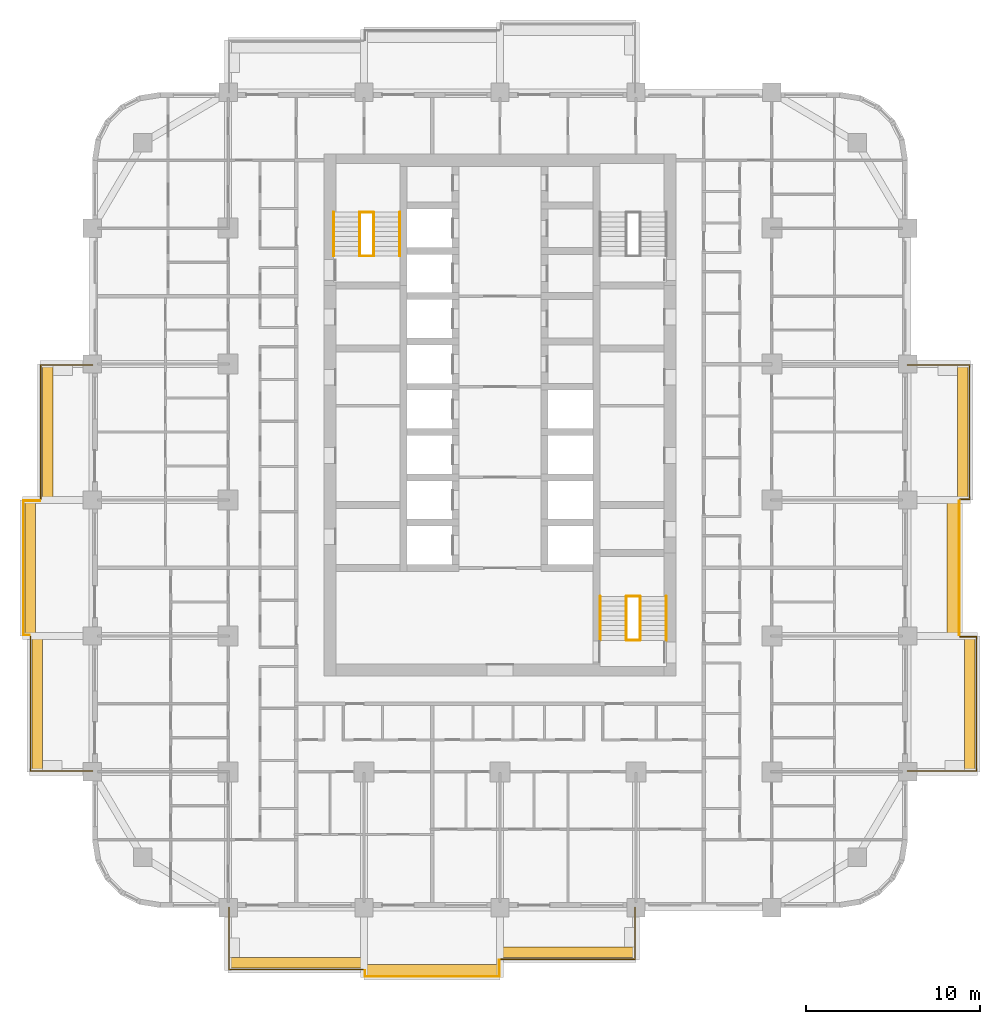
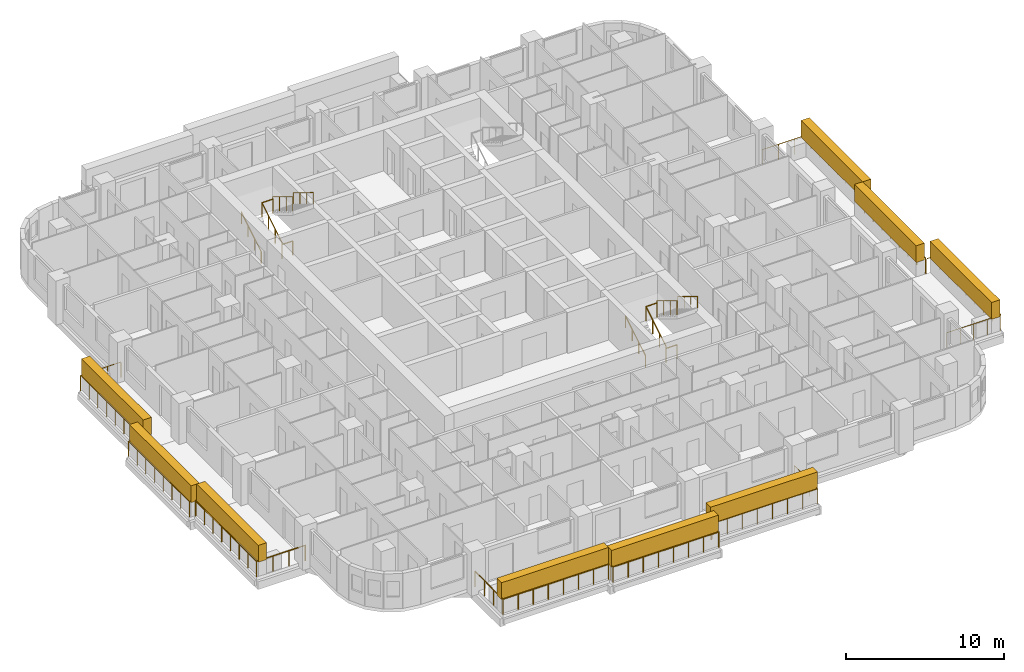
# One storey, part 16 of 17: 21 railings, 9 coverings, 2 elements without a shape of their own.
"""IFC4 building model written with IfcOpenShell, lengths in metres."""

from ifc_helpers import new_model, si_unit, direction, frame, origin, origin_2d, place, context, subcontext, project, spatial, rectangle, circle, extrude, material, layer, layer_set, type_object, element, aggregate, save


model = new_model("IFC4")

# Units and contexts
model_context = context("Model", 3, precision=1e-05, world=origin(), true_north=direction((0.0, 1.0)))
body_context = subcontext(model_context, "Body", "Model", "MODEL_VIEW")
ifc_project = project(units=[si_unit("LENGTHUNIT", "METRE"), si_unit("AREAUNIT", "SQUARE_METRE"), si_unit("VOLUMEUNIT", "CUBIC_METRE"), si_unit("PLANEANGLEUNIT", "RADIAN"), si_unit("MASSUNIT", "GRAM", prefix="KILO")], contexts=[model_context])

# Site, building, storey
site_placement = place(None, origin())
site = spatial("IfcSite", under=ifc_project, at=site_placement, CompositionType="ELEMENT")
building_placement = place(site_placement, origin())
building = spatial("IfcBuilding", under=site, at=building_placement, Name="Ludao Terraces", CompositionType="ELEMENT")
storey_placement = place(building_placement, frame((0.0, 0.0, 54.60009765625)))
storey = spatial("IfcBuildingStorey", under=building, at=storey_placement, Name="L14", CompositionType="ELEMENT", Elevation=54.60009765625)

# Railings
ifc_material_1 = material(Name="Stainless steel 304", Category="steel")
railing_type_1 = type_object("IfcRailingType", Name="ENV Balcony glass guard 1200", PredefinedType="GUARDRAIL", material=ifc_material_1)
railing_1_placement = place(storey_placement, frame((69.449951171875, 41.60009765625, 0.0)))
element("IfcRailing", 1, at=railing_1_placement, inside=storey, type_object=railing_type_1, Name="Balcony guard L14 S1", PredefinedType="GUARDRAIL", context=body_context, shape_type="SweptSolid", body=[
    extrude(circle(Radius=0.02392578125, at=origin_2d()), frame((0.0, 0.0, 1.17578125), z_axis=(0.0, -1.0, 0.0), x_axis=(1.0, 0.0, 0.0)), (0.0, 0.0, 1.0), 3.550048828125),
    extrude(circle(Radius=0.02392578125, at=origin_2d()), frame((0.0, -3.550048828125, 1.17578125), z_axis=(1.0, 0.0, 0.0), x_axis=(0.0, 1.0, 0.0)), (0.0, 0.0, 1.0), 7.699951171875),
    extrude(circle(Radius=0.02099609375, at=origin_2d()), origin(), (0.0, 0.0, 1.0), 1.15185546875),
    extrude(circle(Radius=0.02099609375, at=origin_2d()), frame((0.0, -1.183349609375, 0.0)), (0.0, 0.0, 1.0), 1.15185546875),
    extrude(circle(Radius=0.02099609375, at=origin_2d()), frame((0.0, -2.36669921875, 0.0)), (0.0, 0.0, 1.0), 1.15185546875),
    extrude(circle(Radius=0.02099609375, at=origin_2d()), frame((0.0, -3.550048828125, 0.0)), (0.0, 0.0, 1.0), 1.15185546875),
    extrude(circle(Radius=0.02099609375, at=origin_2d()), frame((1.10009765625, -3.550048828125, 0.0)), (0.0, 0.0, 1.0), 1.15185546875),
    extrude(circle(Radius=0.02099609375, at=origin_2d()), frame((2.199951171875, -3.550048828125, 0.0)), (0.0, 0.0, 1.0), 1.15185546875),
    extrude(circle(Radius=0.02099609375, at=origin_2d()), frame((3.300048828125, -3.550048828125, 0.0)), (0.0, 0.0, 1.0), 1.15185546875),
    extrude(circle(Radius=0.02099609375, at=origin_2d()), frame((4.39990234375, -3.550048828125, 0.0)), (0.0, 0.0, 1.0), 1.15185546875),
    extrude(circle(Radius=0.02099609375, at=origin_2d()), frame((5.5, -3.550048828125, 0.0)), (0.0, 0.0, 1.0), 1.15185546875),
    extrude(circle(Radius=0.02099609375, at=origin_2d()), frame((6.599853515625, -3.550048828125, 0.0)), (0.0, 0.0, 1.0), 1.15185546875),
    extrude(circle(Radius=0.02099609375, at=origin_2d()), frame((7.699951171875, -3.550048828125, 0.0)), (0.0, 0.0, 1.0), 1.15185546875),
])
railing_2_placement = place(storey_placement, frame((77.25, 38.0, 0.0)))
element("IfcRailing", 2, at=railing_2_placement, inside=storey, type_object=railing_type_1, Name="Balcony guard L14 S2", PredefinedType="GUARDRAIL", context=body_context, shape_type="SweptSolid", body=[
    extrude(circle(Radius=0.02392578125, at=origin_2d()), frame((0.0, 0.0, 1.17578125), z_axis=(0.0, -1.0, 0.0), x_axis=(1.0, 0.0, 0.0)), (0.0, 0.0, 1.0), 0.35009765625),
    extrude(circle(Radius=0.02392578125, at=origin_2d()), frame((0.0, -0.35009765625, 1.17578125), z_axis=(1.0, 0.0, 0.0), x_axis=(0.0, 1.0, 0.0)), (0.0, 0.0, 1.0), 7.699951171875),
    extrude(circle(Radius=0.02392578125, at=origin_2d()), frame((7.699951171875, -0.35009765625, 1.17578125), z_axis=(0.0, 1.0, 0.0), x_axis=(-1.0, 0.0, 0.0)), (0.0, 0.0, 1.0), 0.9501953125),
    extrude(circle(Radius=0.02099609375, at=origin_2d()), origin(), (0.0, 0.0, 1.0), 1.15185546875),
    extrude(circle(Radius=0.02099609375, at=origin_2d()), frame((0.0, -0.35009765625, 0.0)), (0.0, 0.0, 1.0), 1.15185546875),
    extrude(circle(Radius=0.02099609375, at=origin_2d()), frame((1.10009765625, -0.35009765625, 0.0)), (0.0, 0.0, 1.0), 1.15185546875),
    extrude(circle(Radius=0.02099609375, at=origin_2d()), frame((2.199951171875, -0.35009765625, 0.0)), (0.0, 0.0, 1.0), 1.15185546875),
    extrude(circle(Radius=0.02099609375, at=origin_2d()), frame((3.300048828125, -0.35009765625, 0.0)), (0.0, 0.0, 1.0), 1.15185546875),
    extrude(circle(Radius=0.02099609375, at=origin_2d()), frame((4.39990234375, -0.35009765625, 0.0)), (0.0, 0.0, 1.0), 1.15185546875),
    extrude(circle(Radius=0.02099609375, at=origin_2d()), frame((5.5, -0.35009765625, 0.0)), (0.0, 0.0, 1.0), 1.15185546875),
    extrude(circle(Radius=0.02099609375, at=origin_2d()), frame((6.599853515625, -0.35009765625, 0.0)), (0.0, 0.0, 1.0), 1.15185546875),
    extrude(circle(Radius=0.02099609375, at=origin_2d()), frame((7.699951171875, -0.35009765625, 0.0)), (0.0, 0.0, 1.0), 1.15185546875),
    extrude(circle(Radius=0.02099609375, at=origin_2d()), frame((7.699951171875, 0.60009765625, 0.0)), (0.0, 0.0, 1.0), 1.15185546875),
])
railing_3_placement = place(storey_placement, frame((85.050048828125, 38.64990234375, 0.0)))
element("IfcRailing", 3, at=railing_3_placement, inside=storey, type_object=railing_type_1, Name="Balcony guard L14 S3", PredefinedType="GUARDRAIL", context=body_context, shape_type="SweptSolid", body=[
    extrude(circle(Radius=0.02392578125, at=origin_2d()), frame((0.0, 0.0, 1.17578125), z_axis=(1.0, 0.0, 0.0), x_axis=(0.0, 1.0, 0.0)), (0.0, 0.0, 1.0), 7.699951171875),
    extrude(circle(Radius=0.02392578125, at=origin_2d()), frame((7.699951171875, 0.0, 1.17578125), z_axis=(0.0, 1.0, 0.0), x_axis=(-1.0, 0.0, 0.0)), (0.0, 0.0, 1.0), 2.9501953125),
    extrude(circle(Radius=0.02099609375, at=origin_2d()), origin(), (0.0, 0.0, 1.0), 1.15185546875),
    extrude(circle(Radius=0.02099609375, at=origin_2d()), frame((1.10009765625, 0.0, 0.0)), (0.0, 0.0, 1.0), 1.15185546875),
    extrude(circle(Radius=0.02099609375, at=origin_2d()), frame((2.199951171875, 0.0, 0.0)), (0.0, 0.0, 1.0), 1.15185546875),
    extrude(circle(Radius=0.02099609375, at=origin_2d()), frame((3.300048828125, 0.0, 0.0)), (0.0, 0.0, 1.0), 1.15185546875),
    extrude(circle(Radius=0.02099609375, at=origin_2d()), frame((4.39990234375, 0.0, 0.0)), (0.0, 0.0, 1.0), 1.15185546875),
    extrude(circle(Radius=0.02099609375, at=origin_2d()), frame((5.5, 0.0, 0.0)), (0.0, 0.0, 1.0), 1.15185546875),
    extrude(circle(Radius=0.02099609375, at=origin_2d()), frame((6.599853515625, 0.0, 0.0)), (0.0, 0.0, 1.0), 1.15185546875),
    extrude(circle(Radius=0.02099609375, at=origin_2d()), frame((7.699951171875, 0.0, 0.0)), (0.0, 0.0, 1.0), 1.15185546875),
    extrude(circle(Radius=0.02099609375, at=origin_2d()), frame((7.699951171875, 0.9833984375, 0.0)), (0.0, 0.0, 1.0), 1.15185546875),
    extrude(circle(Radius=0.02099609375, at=origin_2d()), frame((7.699951171875, 1.966796875, 0.0)), (0.0, 0.0, 1.0), 1.15185546875),
    extrude(circle(Radius=0.02099609375, at=origin_2d()), frame((7.699951171875, 2.9501953125, 0.0)), (0.0, 0.0, 1.0), 1.15185546875),
])
railing_4_placement = place(storey_placement, frame((108.39990234375, 49.449951171875, 0.0)))
element("IfcRailing", 4, at=railing_4_placement, inside=storey, type_object=railing_type_1, Name="Balcony guard L14 E1", PredefinedType="GUARDRAIL", context=body_context, shape_type="SweptSolid", body=[
    extrude(circle(Radius=0.02392578125, at=origin_2d()), frame((0.0, 0.0, 1.17578125), z_axis=(1.0, 0.0, 0.0), x_axis=(0.0, 1.0, 0.0)), (0.0, 0.0, 1.0), 3.9501953125),
    extrude(circle(Radius=0.02392578125, at=origin_2d()), frame((3.9501953125, 0.0, 1.17578125), z_axis=(0.0, 1.0, 0.0), x_axis=(-1.0, 0.0, 0.0)), (0.0, 0.0, 1.0), 7.699951171875),
    extrude(circle(Radius=0.02392578125, at=origin_2d()), frame((3.9501953125, 7.699951171875, 1.17578125), z_axis=(-1.0, 0.0, 0.0), x_axis=(0.0, -1.0, 0.0)), (0.0, 0.0, 1.0), 0.9501953125),
    extrude(circle(Radius=0.02099609375, at=origin_2d()), origin(), (0.0, 0.0, 1.0), 1.15185546875),
    extrude(circle(Radius=0.02099609375, at=origin_2d()), frame((0.987548828125, 0.0, 0.0)), (0.0, 0.0, 1.0), 1.15185546875),
    extrude(circle(Radius=0.02099609375, at=origin_2d()), frame((1.97509765625, 0.0, 0.0)), (0.0, 0.0, 1.0), 1.15185546875),
    extrude(circle(Radius=0.02099609375, at=origin_2d()), frame((2.962646484375, 0.0, 0.0)), (0.0, 0.0, 1.0), 1.15185546875),
    extrude(circle(Radius=0.02099609375, at=origin_2d()), frame((3.9501953125, 0.0, 0.0)), (0.0, 0.0, 1.0), 1.15185546875),
    extrude(circle(Radius=0.02099609375, at=origin_2d()), frame((3.9501953125, 1.10009765625, 0.0)), (0.0, 0.0, 1.0), 1.15185546875),
    extrude(circle(Radius=0.02099609375, at=origin_2d()), frame((3.9501953125, 2.199951171875, 0.0)), (0.0, 0.0, 1.0), 1.15185546875),
    extrude(circle(Radius=0.02099609375, at=origin_2d()), frame((3.9501953125, 3.300048828125, 0.0)), (0.0, 0.0, 1.0), 1.15185546875),
    extrude(circle(Radius=0.02099609375, at=origin_2d()), frame((3.9501953125, 4.39990234375, 0.0)), (0.0, 0.0, 1.0), 1.15185546875),
    extrude(circle(Radius=0.02099609375, at=origin_2d()), frame((3.9501953125, 5.5, 0.0)), (0.0, 0.0, 1.0), 1.15185546875),
    extrude(circle(Radius=0.02099609375, at=origin_2d()), frame((3.9501953125, 6.599853515625, 0.0)), (0.0, 0.0, 1.0), 1.15185546875),
    extrude(circle(Radius=0.02099609375, at=origin_2d()), frame((3.9501953125, 7.699951171875, 0.0)), (0.0, 0.0, 1.0), 1.15185546875),
    extrude(circle(Radius=0.02099609375, at=origin_2d()), frame((3.0, 7.699951171875, 0.0)), (0.0, 0.0, 1.0), 1.15185546875),
])
railing_5_placement = place(storey_placement, frame((111.35009765625, 57.25, 0.0)))
element("IfcRailing", 5, at=railing_5_placement, inside=storey, type_object=railing_type_1, Name="Balcony guard L14 E2", PredefinedType="GUARDRAIL", context=body_context, shape_type="SweptSolid", body=[
    extrude(circle(Radius=0.02392578125, at=origin_2d()), frame((0.0, 0.0, 1.17578125), z_axis=(0.0, 1.0, 0.0), x_axis=(-1.0, 0.0, 0.0)), (0.0, 0.0, 1.0), 7.699951171875),
    extrude(circle(Radius=0.02099609375, at=origin_2d()), origin(), (0.0, 0.0, 1.0), 1.15185546875),
    extrude(circle(Radius=0.02099609375, at=origin_2d()), frame((0.0, 1.10009765625, 0.0)), (0.0, 0.0, 1.0), 1.15185546875),
    extrude(circle(Radius=0.02099609375, at=origin_2d()), frame((0.0, 2.199951171875, 0.0)), (0.0, 0.0, 1.0), 1.15185546875),
    extrude(circle(Radius=0.02099609375, at=origin_2d()), frame((0.0, 3.300048828125, 0.0)), (0.0, 0.0, 1.0), 1.15185546875),
    extrude(circle(Radius=0.02099609375, at=origin_2d()), frame((0.0, 4.39990234375, 0.0)), (0.0, 0.0, 1.0), 1.15185546875),
    extrude(circle(Radius=0.02099609375, at=origin_2d()), frame((0.0, 5.5, 0.0)), (0.0, 0.0, 1.0), 1.15185546875),
    extrude(circle(Radius=0.02099609375, at=origin_2d()), frame((0.0, 6.599853515625, 0.0)), (0.0, 0.0, 1.0), 1.15185546875),
    extrude(circle(Radius=0.02099609375, at=origin_2d()), frame((0.0, 7.699951171875, 0.0)), (0.0, 0.0, 1.0), 1.15185546875),
])
railing_6_placement = place(storey_placement, frame((111.39990234375, 65.050048828125, 0.0)))
element("IfcRailing", 6, at=railing_6_placement, inside=storey, type_object=railing_type_1, Name="Balcony guard L14 E3", PredefinedType="GUARDRAIL", context=body_context, shape_type="SweptSolid", body=[
    extrude(circle(Radius=0.02392578125, at=origin_2d()), frame((0.0, 0.0, 1.17578125), z_axis=(1.0, 0.0, 0.0), x_axis=(0.0, 1.0, 0.0)), (0.0, 0.0, 1.0), 0.550048828125),
    extrude(circle(Radius=0.02392578125, at=origin_2d()), frame((0.550048828125, 0.0, 1.17578125), z_axis=(0.0, 1.0, 0.0), x_axis=(-1.0, 0.0, 0.0)), (0.0, 0.0, 1.0), 7.699951171875),
    extrude(circle(Radius=0.02392578125, at=origin_2d()), frame((0.550048828125, 7.699951171875, 1.17578125), z_axis=(-1.0, 0.0, 0.0), x_axis=(0.0, -1.0, 0.0)), (0.0, 0.0, 1.0), 3.550048828125),
    extrude(circle(Radius=0.02099609375, at=origin_2d()), origin(), (0.0, 0.0, 1.0), 1.15185546875),
    extrude(circle(Radius=0.02099609375, at=origin_2d()), frame((0.550048828125, 0.0, 0.0)), (0.0, 0.0, 1.0), 1.15185546875),
    extrude(circle(Radius=0.02099609375, at=origin_2d()), frame((0.550048828125, 1.10009765625, 0.0)), (0.0, 0.0, 1.0), 1.15185546875),
    extrude(circle(Radius=0.02099609375, at=origin_2d()), frame((0.550048828125, 2.199951171875, 0.0)), (0.0, 0.0, 1.0), 1.15185546875),
    extrude(circle(Radius=0.02099609375, at=origin_2d()), frame((0.550048828125, 3.300048828125, 0.0)), (0.0, 0.0, 1.0), 1.15185546875),
    extrude(circle(Radius=0.02099609375, at=origin_2d()), frame((0.550048828125, 4.39990234375, 0.0)), (0.0, 0.0, 1.0), 1.15185546875),
    extrude(circle(Radius=0.02099609375, at=origin_2d()), frame((0.550048828125, 5.5, 0.0)), (0.0, 0.0, 1.0), 1.15185546875),
    extrude(circle(Radius=0.02099609375, at=origin_2d()), frame((0.550048828125, 6.599853515625, 0.0)), (0.0, 0.0, 1.0), 1.15185546875),
    extrude(circle(Radius=0.02099609375, at=origin_2d()), frame((0.550048828125, 7.699951171875, 0.0)), (0.0, 0.0, 1.0), 1.15185546875),
    extrude(circle(Radius=0.02099609375, at=origin_2d()), frame((-0.63330078125, 7.699951171875, 0.0)), (0.0, 0.0, 1.0), 1.15185546875),
    extrude(circle(Radius=0.02099609375, at=origin_2d()), frame((-1.816650390625, 7.699951171875, 0.0)), (0.0, 0.0, 1.0), 1.15185546875),
    extrude(circle(Radius=0.02099609375, at=origin_2d()), frame((-3.0, 7.699951171875, 0.0)), (0.0, 0.0, 1.0), 1.15185546875),
])
railing_7_placement = place(storey_placement, frame((61.60009765625, 49.449951171875, 0.0)))
element("IfcRailing", 7, at=railing_7_placement, inside=storey, type_object=railing_type_1, Name="Balcony guard L14 W1", PredefinedType="GUARDRAIL", context=body_context, shape_type="SweptSolid", body=[
    extrude(circle(Radius=0.02392578125, at=origin_2d()), frame((0.0, 0.0, 1.17578125), z_axis=(-1.0, 0.0, 0.0), x_axis=(0.0, -1.0, 0.0)), (0.0, 0.0, 1.0), 3.550048828125),
    extrude(circle(Radius=0.02392578125, at=origin_2d()), frame((-3.550048828125, 0.0, 1.17578125), z_axis=(0.0, 1.0, 0.0), x_axis=(-1.0, 0.0, 0.0)), (0.0, 0.0, 1.0), 7.699951171875),
    extrude(circle(Radius=0.02099609375, at=origin_2d()), origin(), (0.0, 0.0, 1.0), 1.15185546875),
    extrude(circle(Radius=0.02099609375, at=origin_2d()), frame((-1.183349609375, 0.0, 0.0)), (0.0, 0.0, 1.0), 1.15185546875),
    extrude(circle(Radius=0.02099609375, at=origin_2d()), frame((-2.36669921875, 0.0, 0.0)), (0.0, 0.0, 1.0), 1.15185546875),
    extrude(circle(Radius=0.02099609375, at=origin_2d()), frame((-3.550048828125, 0.0, 0.0)), (0.0, 0.0, 1.0), 1.15185546875),
    extrude(circle(Radius=0.02099609375, at=origin_2d()), frame((-3.550048828125, 1.10009765625, 0.0)), (0.0, 0.0, 1.0), 1.15185546875),
    extrude(circle(Radius=0.02099609375, at=origin_2d()), frame((-3.550048828125, 2.199951171875, 0.0)), (0.0, 0.0, 1.0), 1.15185546875),
    extrude(circle(Radius=0.02099609375, at=origin_2d()), frame((-3.550048828125, 3.300048828125, 0.0)), (0.0, 0.0, 1.0), 1.15185546875),
    extrude(circle(Radius=0.02099609375, at=origin_2d()), frame((-3.550048828125, 4.39990234375, 0.0)), (0.0, 0.0, 1.0), 1.15185546875),
    extrude(circle(Radius=0.02099609375, at=origin_2d()), frame((-3.550048828125, 5.5, 0.0)), (0.0, 0.0, 1.0), 1.15185546875),
    extrude(circle(Radius=0.02099609375, at=origin_2d()), frame((-3.550048828125, 6.599853515625, 0.0)), (0.0, 0.0, 1.0), 1.15185546875),
    extrude(circle(Radius=0.02099609375, at=origin_2d()), frame((-3.550048828125, 7.699951171875, 0.0)), (0.0, 0.0, 1.0), 1.15185546875),
])
railing_8_placement = place(storey_placement, frame((58.0, 57.25, 0.0)))
element("IfcRailing", 8, at=railing_8_placement, inside=storey, type_object=railing_type_1, Name="Balcony guard L14 W2", PredefinedType="GUARDRAIL", context=body_context, shape_type="SweptSolid", body=[
    extrude(circle(Radius=0.02392578125, at=origin_2d()), frame((0.0, 0.0, 1.17578125), z_axis=(-1.0, 0.0, 0.0), x_axis=(0.0, -1.0, 0.0)), (0.0, 0.0, 1.0), 0.35009765625),
    extrude(circle(Radius=0.02392578125, at=origin_2d()), frame((-0.35009765625, 0.0, 1.17578125), z_axis=(0.0, 1.0, 0.0), x_axis=(-1.0, 0.0, 0.0)), (0.0, 0.0, 1.0), 7.699951171875),
    extrude(circle(Radius=0.02392578125, at=origin_2d()), frame((-0.35009765625, 7.699951171875, 1.17578125), z_axis=(1.0, 0.0, 0.0), x_axis=(0.0, 1.0, 0.0)), (0.0, 0.0, 1.0), 0.9501953125),
    extrude(circle(Radius=0.02099609375, at=origin_2d()), origin(), (0.0, 0.0, 1.0), 1.15185546875),
    extrude(circle(Radius=0.02099609375, at=origin_2d()), frame((-0.35009765625, 0.0, 0.0)), (0.0, 0.0, 1.0), 1.15185546875),
    extrude(circle(Radius=0.02099609375, at=origin_2d()), frame((-0.35009765625, 1.10009765625, 0.0)), (0.0, 0.0, 1.0), 1.15185546875),
    extrude(circle(Radius=0.02099609375, at=origin_2d()), frame((-0.35009765625, 2.199951171875, 0.0)), (0.0, 0.0, 1.0), 1.15185546875),
    extrude(circle(Radius=0.02099609375, at=origin_2d()), frame((-0.35009765625, 3.300048828125, 0.0)), (0.0, 0.0, 1.0), 1.15185546875),
    extrude(circle(Radius=0.02099609375, at=origin_2d()), frame((-0.35009765625, 4.39990234375, 0.0)), (0.0, 0.0, 1.0), 1.15185546875),
    extrude(circle(Radius=0.02099609375, at=origin_2d()), frame((-0.35009765625, 5.5, 0.0)), (0.0, 0.0, 1.0), 1.15185546875),
    extrude(circle(Radius=0.02099609375, at=origin_2d()), frame((-0.35009765625, 6.599853515625, 0.0)), (0.0, 0.0, 1.0), 1.15185546875),
    extrude(circle(Radius=0.02099609375, at=origin_2d()), frame((-0.35009765625, 7.699951171875, 0.0)), (0.0, 0.0, 1.0), 1.15185546875),
    extrude(circle(Radius=0.02099609375, at=origin_2d()), frame((0.60009765625, 7.699951171875, 0.0)), (0.0, 0.0, 1.0), 1.15185546875),
])
railing_9_placement = place(storey_placement, frame((58.64990234375, 65.050048828125, 0.0)))
element("IfcRailing", 9, at=railing_9_placement, inside=storey, type_object=railing_type_1, Name="Balcony guard L14 W3", PredefinedType="GUARDRAIL", context=body_context, shape_type="SweptSolid", body=[
    extrude(circle(Radius=0.02392578125, at=origin_2d()), frame((0.0, 0.0, 1.17578125), z_axis=(0.0, 1.0, 0.0), x_axis=(-1.0, 0.0, 0.0)), (0.0, 0.0, 1.0), 7.699951171875),
    extrude(circle(Radius=0.02392578125, at=origin_2d()), frame((0.0, 7.699951171875, 1.17578125), z_axis=(1.0, 0.0, 0.0), x_axis=(0.0, 1.0, 0.0)), (0.0, 0.0, 1.0), 2.9501953125),
    extrude(circle(Radius=0.02099609375, at=origin_2d()), origin(), (0.0, 0.0, 1.0), 1.15185546875),
    extrude(circle(Radius=0.02099609375, at=origin_2d()), frame((0.0, 1.10009765625, 0.0)), (0.0, 0.0, 1.0), 1.15185546875),
    extrude(circle(Radius=0.02099609375, at=origin_2d()), frame((0.0, 2.199951171875, 0.0)), (0.0, 0.0, 1.0), 1.15185546875),
    extrude(circle(Radius=0.02099609375, at=origin_2d()), frame((0.0, 3.300048828125, 0.0)), (0.0, 0.0, 1.0), 1.15185546875),
    extrude(circle(Radius=0.02099609375, at=origin_2d()), frame((0.0, 4.39990234375, 0.0)), (0.0, 0.0, 1.0), 1.15185546875),
    extrude(circle(Radius=0.02099609375, at=origin_2d()), frame((0.0, 5.5, 0.0)), (0.0, 0.0, 1.0), 1.15185546875),
    extrude(circle(Radius=0.02099609375, at=origin_2d()), frame((0.0, 6.599853515625, 0.0)), (0.0, 0.0, 1.0), 1.15185546875),
    extrude(circle(Radius=0.02099609375, at=origin_2d()), frame((0.0, 7.699951171875, 0.0)), (0.0, 0.0, 1.0), 1.15185546875),
    extrude(circle(Radius=0.02099609375, at=origin_2d()), frame((0.9833984375, 7.699951171875, 0.0)), (0.0, 0.0, 1.0), 1.15185546875),
    extrude(circle(Radius=0.02099609375, at=origin_2d()), frame((1.966796875, 7.699951171875, 0.0)), (0.0, 0.0, 1.0), 1.15185546875),
    extrude(circle(Radius=0.02099609375, at=origin_2d()), frame((2.9501953125, 7.699951171875, 0.0)), (0.0, 0.0, 1.0), 1.15185546875),
])

# Coverings
ifc_material_2 = material(Name="Planting")
ifc_layer = layer(ifc_material_2, 0.60009765625)
ifc_layer_set = layer_set([ifc_layer], Name="ENV Planting hedge 600x1300")
covering_type = type_object("IfcCoveringType", Name="ENV Planting hedge 600x1300", PredefinedType="USERDEFINED", material=ifc_layer_set)
for number, where, z_axis, x_axis, name in (
    (10, (73.300048828125, 38.449951171875, 1.10009765625), (0.0, 0.0, 1.0), (1.0, 0.0, 0.0), "Planting hedge L14-S1"),
    (11, (81.10009765625, 38.050048828125, 1.10009765625), (0.0, 0.0, 1.0), (1.0, 0.0, 0.0), "Planting hedge L14-S2"),
    (12, (88.89990234375, 39.050048828125, 1.10009765625), (0.0, 0.0, 1.0), (1.0, 0.0, 0.0), "Planting hedge L14-S3"),
):
    element("IfcCovering", number, at=place(storey_placement, frame(where, z_axis=z_axis, x_axis=x_axis)), inside=storey, type_object=covering_type, Name=name, ObjectType="PLANTING", PredefinedType="USERDEFINED", context=body_context, shape_type="SweptSolid", body=[
        extrude(rectangle(XDim=7.800048828125, YDim=0.60009765625, at=origin_2d()), origin(), (0.0, 0.0, 1.0), 1.300048828125),
    ])
for number, where, z_axis, x_axis, name in (
    (13, (111.949951171875, 53.300048828125, 1.10009765625), (0.0, 0.0, 1.0), (1.0, 0.0, 0.0), "Planting hedge L14-E1"),
    (14, (110.949951171875, 61.10009765625, 1.10009765625), (0.0, 0.0, 1.0), (1.0, 0.0, 0.0), "Planting hedge L14-E2"),
    (15, (111.550048828125, 68.89990234375, 1.10009765625), (0.0, 0.0, 1.0), (1.0, 0.0, 0.0), "Planting hedge L14-E3"),
    (16, (58.449951171875, 53.300048828125, 1.10009765625), (0.0, 0.0, 1.0), (1.0, 0.0, 0.0), "Planting hedge L14-W1"),
    (17, (58.050048828125, 61.10009765625, 1.10009765625), (0.0, 0.0, 1.0), (1.0, 0.0, 0.0), "Planting hedge L14-W2"),
    (18, (59.050048828125, 68.89990234375, 1.10009765625), (0.0, 0.0, 1.0), (1.0, 0.0, 0.0), "Planting hedge L14-W3"),
):
    element("IfcCovering", number, at=place(storey_placement, frame(where, z_axis=z_axis, x_axis=x_axis)), inside=storey, type_object=covering_type, Name=name, ObjectType="PLANTING", PredefinedType="USERDEFINED", context=body_context, shape_type="SweptSolid", body=[
        extrude(rectangle(XDim=0.60009765625, YDim=7.800048828125, at=origin_2d()), origin(), (0.0, 0.0, 1.0), 1.300048828125),
    ])

# Stair, railings
ifc_material_3 = material(Name="Concrete C40", Category="concrete")
stair_type = type_object("IfcStairType", Name="INT Stair", PredefinedType="HALF_TURN_STAIR", material=ifc_material_3)
stair_1_placement = place(storey_placement, origin())
stair_1 = element("IfcStair", 19, at=stair_1_placement, inside=storey, type_object=stair_type, Name="EXIT STAIR 1", PredefinedType="HALF_TURN_STAIR")
railing_type_2 = type_object("IfcRailingType", Name="INT Stair guard 1100", PredefinedType="GUARDRAIL", material=ifc_material_1)
railing_10_placement = place(storey_placement, frame((76.949951171875, 79.0, 0.169921875)))
railing_10 = element("IfcRailing", 20, at=railing_10_placement, type_object=railing_type_2, Name="ST-L14-S1-R1G", PredefinedType="GUARDRAIL", context=body_context, shape_type="SweptSolid", body=[
    extrude(circle(Radius=0.02392578125, at=origin_2d()), frame((0.0, 0.0, 1.076171875), z_axis=(0.0, 0.85478489116, 0.518982456201), x_axis=(-1.0, 0.0, 0.0)), (0.0, 0.0, 1.0), 2.9482421875),
    extrude(circle(Radius=0.02099609375, at=origin_2d()), origin(), (0.0, 0.0, 1.0), 1.052001953125),
    extrude(circle(Radius=0.02099609375, at=origin_2d()), frame((0.0, 0.840087890625, 0.510009765625)), (0.0, 0.0, 1.0), 1.052001953125),
    extrude(circle(Radius=0.02099609375, at=origin_2d()), frame((0.0, 1.679931640625, 1.02001953125)), (0.0, 0.0, 1.0), 1.052001953125),
    extrude(circle(Radius=0.02099609375, at=origin_2d()), frame((0.0, 2.52001953125, 1.530029296875)), (0.0, 0.0, 1.0), 1.052001953125),
])
railing_11_placement = place(storey_placement, frame((77.75, 81.52001953125, 1.869873046875)))
railing_11 = element("IfcRailing", 21, at=railing_11_placement, type_object=railing_type_2, Name="ST-L14-S1-R2G", PredefinedType="GUARDRAIL", context=body_context, shape_type="SweptSolid", body=[
    extrude(circle(Radius=0.02392578125, at=origin_2d()), frame((0.0, 0.0, 1.076171875), z_axis=(0.0, -0.85478489116, 0.518982456201), x_axis=(1.0, 0.0, 0.0)), (0.0, 0.0, 1.0), 2.9482421875),
    extrude(circle(Radius=0.02099609375, at=origin_2d()), origin(), (0.0, 0.0, 1.0), 1.052001953125),
    extrude(circle(Radius=0.02099609375, at=origin_2d()), frame((0.0, -0.840087890625, 0.510009765625)), (0.0, 0.0, 1.0), 1.052001953125),
    extrude(circle(Radius=0.02099609375, at=origin_2d()), frame((0.0, -1.679931640625, 1.02001953125)), (0.0, 0.0, 1.0), 1.052001953125),
    extrude(circle(Radius=0.02099609375, at=origin_2d()), frame((0.0, -2.52001953125, 1.530029296875)), (0.0, 0.0, 1.0), 1.052001953125),
])
railing_12_placement = place(storey_placement, frame((76.949951171875, 81.52001953125, 1.699951171875)))
railing_12 = element("IfcRailing", 22, at=railing_12_placement, type_object=railing_type_2, Name="ST-L14-S1-E1G", PredefinedType="GUARDRAIL", context=body_context, shape_type="SweptSolid", body=[
    extrude(circle(Radius=0.02392578125, at=origin_2d()), frame((0.0, 0.0, 1.076171875), z_axis=(1.0, 0.0, 0.0), x_axis=(0.0, 1.0, 0.0)), (0.0, 0.0, 1.0), 0.800048828125),
    extrude(circle(Radius=0.02099609375, at=origin_2d()), origin(), (0.0, 0.0, 1.0), 1.052001953125),
    extrude(circle(Radius=0.02099609375, at=origin_2d()), frame((0.800048828125, 0.0, 0.0)), (0.0, 0.0, 1.0), 1.052001953125),
])
railing_13_placement = place(storey_placement, frame((76.949951171875, 79.0, 0.0)))
railing_13 = element("IfcRailing", 23, at=railing_13_placement, type_object=railing_type_2, Name="ST-L14-S1-E2G", PredefinedType="GUARDRAIL", context=body_context, shape_type="SweptSolid", body=[
    extrude(circle(Radius=0.02392578125, at=origin_2d()), frame((0.0, 0.0, 1.076171875), z_axis=(1.0, 0.0, 0.0), x_axis=(0.0, 1.0, 0.0)), (0.0, 0.0, 1.0), 0.800048828125),
    extrude(circle(Radius=0.02099609375, at=origin_2d()), origin(), (0.0, 0.0, 1.0), 1.052001953125),
    extrude(circle(Radius=0.02099609375, at=origin_2d()), frame((0.800048828125, 0.0, 0.0)), (0.0, 0.0, 1.0), 1.052001953125),
])

stair_2_placement = place(storey_placement, origin())
stair_2 = element("IfcStair", 24, at=stair_2_placement, inside=storey, type_object=stair_type, Name="EXIT STAIR 3", PredefinedType="HALF_TURN_STAIR")
railing_14_placement = place(storey_placement, frame((92.25, 56.949951171875, 0.169921875)))
railing_14 = element("IfcRailing", 25, at=railing_14_placement, type_object=railing_type_2, Name="ST-L14-S3-R1G", PredefinedType="GUARDRAIL", context=body_context, shape_type="SweptSolid", body=[
    extrude(circle(Radius=0.02392578125, at=origin_2d()), frame((0.0, 0.0, 1.076171875), z_axis=(0.0, 0.85478489116, 0.518982456201), x_axis=(-1.0, 0.0, 0.0)), (0.0, 0.0, 1.0), 2.9482421875),
    extrude(circle(Radius=0.02099609375, at=origin_2d()), origin(), (0.0, 0.0, 1.0), 1.052001953125),
    extrude(circle(Radius=0.02099609375, at=origin_2d()), frame((0.0, 0.840087890625, 0.510009765625)), (0.0, 0.0, 1.0), 1.052001953125),
    extrude(circle(Radius=0.02099609375, at=origin_2d()), frame((0.0, 1.679931640625, 1.02001953125)), (0.0, 0.0, 1.0), 1.052001953125),
    extrude(circle(Radius=0.02099609375, at=origin_2d()), frame((0.0, 2.52001953125, 1.530029296875)), (0.0, 0.0, 1.0), 1.052001953125),
])
railing_15_placement = place(storey_placement, frame((93.050048828125, 59.469970703125, 1.869873046875)))
railing_15 = element("IfcRailing", 26, at=railing_15_placement, type_object=railing_type_2, Name="ST-L14-S3-R2G", PredefinedType="GUARDRAIL", context=body_context, shape_type="SweptSolid", body=[
    extrude(circle(Radius=0.02392578125, at=origin_2d()), frame((0.0, 0.0, 1.076171875), z_axis=(0.0, -0.85478489116, 0.518982456201), x_axis=(1.0, 0.0, 0.0)), (0.0, 0.0, 1.0), 2.9482421875),
    extrude(circle(Radius=0.02099609375, at=origin_2d()), origin(), (0.0, 0.0, 1.0), 1.052001953125),
    extrude(circle(Radius=0.02099609375, at=origin_2d()), frame((0.0, -0.840087890625, 0.510009765625)), (0.0, 0.0, 1.0), 1.052001953125),
    extrude(circle(Radius=0.02099609375, at=origin_2d()), frame((0.0, -1.679931640625, 1.02001953125)), (0.0, 0.0, 1.0), 1.052001953125),
    extrude(circle(Radius=0.02099609375, at=origin_2d()), frame((0.0, -2.52001953125, 1.530029296875)), (0.0, 0.0, 1.0), 1.052001953125),
])
railing_16_placement = place(storey_placement, frame((92.25, 59.469970703125, 1.699951171875)))
railing_16 = element("IfcRailing", 27, at=railing_16_placement, type_object=railing_type_2, Name="ST-L14-S3-E1G", PredefinedType="GUARDRAIL", context=body_context, shape_type="SweptSolid", body=[
    extrude(circle(Radius=0.02392578125, at=origin_2d()), frame((0.0, 0.0, 1.076171875), z_axis=(1.0, 0.0, 0.0), x_axis=(0.0, 1.0, 0.0)), (0.0, 0.0, 1.0), 0.800048828125),
    extrude(circle(Radius=0.02099609375, at=origin_2d()), origin(), (0.0, 0.0, 1.0), 1.052001953125),
    extrude(circle(Radius=0.02099609375, at=origin_2d()), frame((0.800048828125, 0.0, 0.0)), (0.0, 0.0, 1.0), 1.052001953125),
])
railing_17_placement = place(storey_placement, frame((92.25, 56.949951171875, 0.0)))
railing_17 = element("IfcRailing", 28, at=railing_17_placement, type_object=railing_type_2, Name="ST-L14-S3-E2G", PredefinedType="GUARDRAIL", context=body_context, shape_type="SweptSolid", body=[
    extrude(circle(Radius=0.02392578125, at=origin_2d()), frame((0.0, 0.0, 1.076171875), z_axis=(1.0, 0.0, 0.0), x_axis=(0.0, 1.0, 0.0)), (0.0, 0.0, 1.0), 0.800048828125),
    extrude(circle(Radius=0.02099609375, at=origin_2d()), origin(), (0.0, 0.0, 1.0), 1.052001953125),
    extrude(circle(Radius=0.02099609375, at=origin_2d()), frame((0.800048828125, 0.0, 0.0)), (0.0, 0.0, 1.0), 1.052001953125),
])

# Railing
railing_type_3 = type_object("IfcRailingType", Name="INT Stair handrail 900", PredefinedType="HANDRAIL", material=ifc_material_1)
railing_18_placement = place(storey_placement, frame((75.449951171875, 79.0, 0.169921875)))
railing_18 = element("IfcRailing", 29, at=railing_18_placement, type_object=railing_type_3, Name="ST-L14-S1-R1H", PredefinedType="HANDRAIL", context=body_context, shape_type="SweptSolid", body=[
    extrude(circle(Radius=0.02392578125, at=origin_2d()), frame((0.0, 0.0, 0.8759765625), z_axis=(0.0, 0.85478489116, 0.518982456201), x_axis=(-1.0, 0.0, 0.0)), (0.0, 0.0, 1.0), 2.9482421875),
    extrude(circle(Radius=0.02099609375, at=origin_2d()), origin(), (0.0, 0.0, 1.0), 0.851806640625),
    extrude(circle(Radius=0.02099609375, at=origin_2d()), frame((0.0, 0.840087890625, 0.510009765625)), (0.0, 0.0, 1.0), 0.851806640625),
    extrude(circle(Radius=0.02099609375, at=origin_2d()), frame((0.0, 1.679931640625, 1.02001953125)), (0.0, 0.0, 1.0), 0.851806640625),
    extrude(circle(Radius=0.02099609375, at=origin_2d()), frame((0.0, 2.52001953125, 1.530029296875)), (0.0, 0.0, 1.0), 0.851806640625),
])

railing_19_placement = place(storey_placement, frame((79.25, 81.52001953125, 1.869873046875)))
railing_19 = element("IfcRailing", 30, at=railing_19_placement, type_object=railing_type_3, Name="ST-L14-S1-R2H", PredefinedType="HANDRAIL", context=body_context, shape_type="SweptSolid", body=[
    extrude(circle(Radius=0.02392578125, at=origin_2d()), frame((0.0, 0.0, 0.8759765625), z_axis=(0.0, -0.85478489116, 0.518982456201), x_axis=(1.0, 0.0, 0.0)), (0.0, 0.0, 1.0), 2.9482421875),
    extrude(circle(Radius=0.02099609375, at=origin_2d()), origin(), (0.0, 0.0, 1.0), 0.851806640625),
    extrude(circle(Radius=0.02099609375, at=origin_2d()), frame((0.0, -0.840087890625, 0.510009765625)), (0.0, 0.0, 1.0), 0.851806640625),
    extrude(circle(Radius=0.02099609375, at=origin_2d()), frame((0.0, -1.679931640625, 1.02001953125)), (0.0, 0.0, 1.0), 0.851806640625),
    extrude(circle(Radius=0.02099609375, at=origin_2d()), frame((0.0, -2.52001953125, 1.530029296875)), (0.0, 0.0, 1.0), 0.851806640625),
])

aggregate(stair_1, [railing_10, railing_18, railing_11, railing_19, railing_12, railing_13])

railing_20_placement = place(storey_placement, frame((90.75, 56.949951171875, 0.169921875)))
railing_20 = element("IfcRailing", 31, at=railing_20_placement, type_object=railing_type_3, Name="ST-L14-S3-R1H", PredefinedType="HANDRAIL", context=body_context, shape_type="SweptSolid", body=[
    extrude(circle(Radius=0.02392578125, at=origin_2d()), frame((0.0, 0.0, 0.8759765625), z_axis=(0.0, 0.85478489116, 0.518982456201), x_axis=(-1.0, 0.0, 0.0)), (0.0, 0.0, 1.0), 2.9482421875),
    extrude(circle(Radius=0.02099609375, at=origin_2d()), origin(), (0.0, 0.0, 1.0), 0.851806640625),
    extrude(circle(Radius=0.02099609375, at=origin_2d()), frame((0.0, 0.840087890625, 0.510009765625)), (0.0, 0.0, 1.0), 0.851806640625),
    extrude(circle(Radius=0.02099609375, at=origin_2d()), frame((0.0, 1.679931640625, 1.02001953125)), (0.0, 0.0, 1.0), 0.851806640625),
    extrude(circle(Radius=0.02099609375, at=origin_2d()), frame((0.0, 2.52001953125, 1.530029296875)), (0.0, 0.0, 1.0), 0.851806640625),
])

railing_21_placement = place(storey_placement, frame((94.550048828125, 59.469970703125, 1.869873046875)))
railing_21 = element("IfcRailing", 32, at=railing_21_placement, type_object=railing_type_3, Name="ST-L14-S3-R2H", PredefinedType="HANDRAIL", context=body_context, shape_type="SweptSolid", body=[
    extrude(circle(Radius=0.02392578125, at=origin_2d()), frame((0.0, 0.0, 0.8759765625), z_axis=(0.0, -0.85478489116, 0.518982456201), x_axis=(1.0, 0.0, 0.0)), (0.0, 0.0, 1.0), 2.9482421875),
    extrude(circle(Radius=0.02099609375, at=origin_2d()), origin(), (0.0, 0.0, 1.0), 0.851806640625),
    extrude(circle(Radius=0.02099609375, at=origin_2d()), frame((0.0, -0.840087890625, 0.510009765625)), (0.0, 0.0, 1.0), 0.851806640625),
    extrude(circle(Radius=0.02099609375, at=origin_2d()), frame((0.0, -1.679931640625, 1.02001953125)), (0.0, 0.0, 1.0), 0.851806640625),
    extrude(circle(Radius=0.02099609375, at=origin_2d()), frame((0.0, -2.52001953125, 1.530029296875)), (0.0, 0.0, 1.0), 0.851806640625),
])

aggregate(stair_2, [railing_14, railing_20, railing_15, railing_21, railing_16, railing_17])

save(model, "model.ifc")
